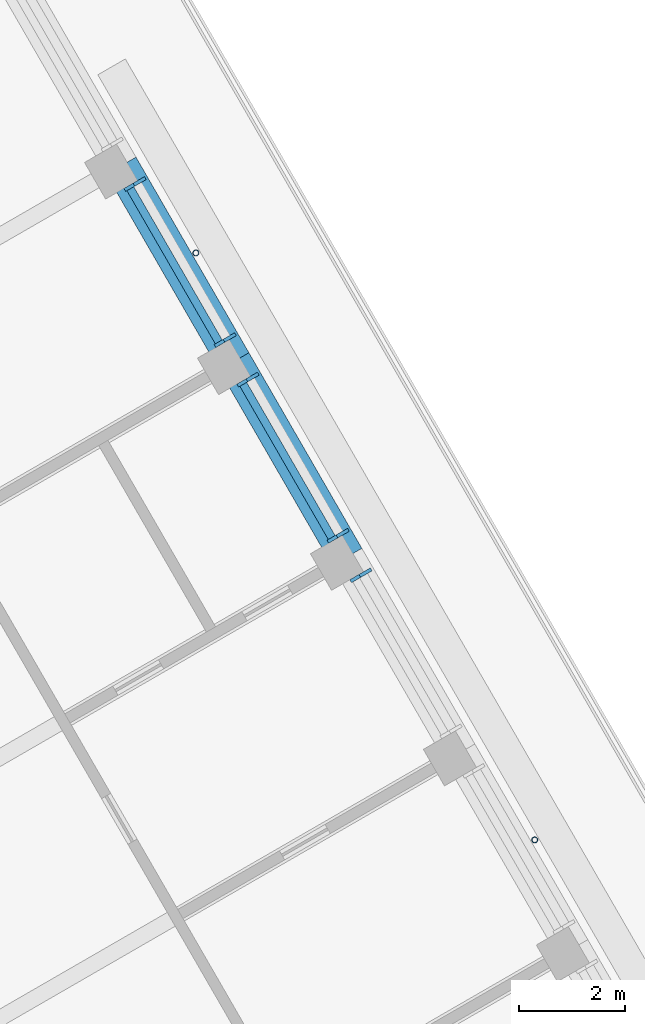
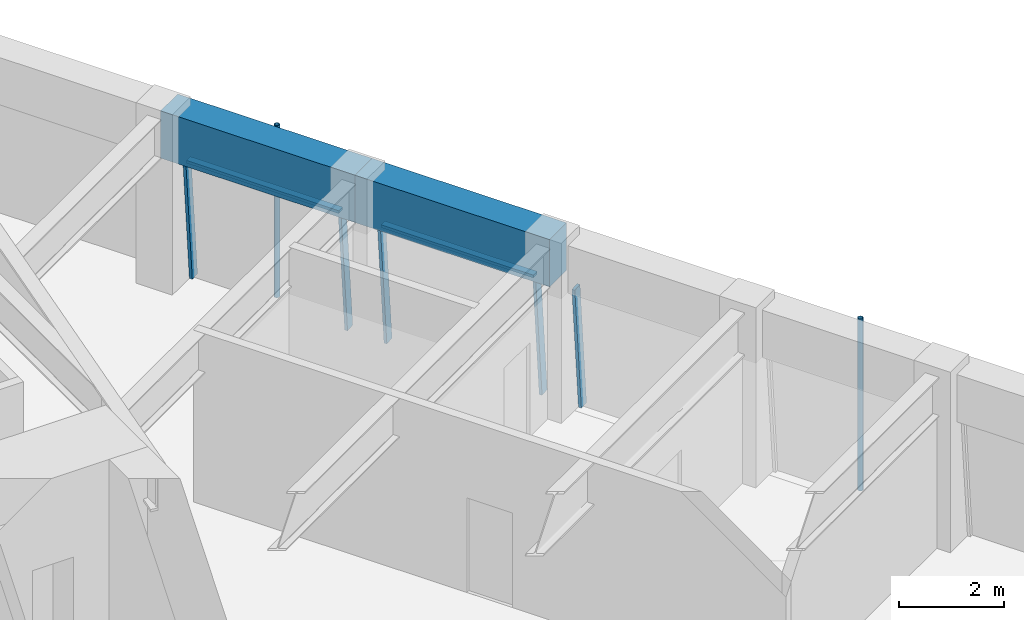
# One storey, part 10 of 19: 9 members, 2 beams, 3 elements without a shape of their own.
"""IFC4 building model written with IfcOpenShell, lengths in metres."""

from ifc_helpers import new_model, si_unit, direction, frame, origin, origin_2d, place, context, subcontext, project, spatial, rectangle, hollow_circle, extrude, material, material_profile, profile_set, type_object, element, aggregate, save


model = new_model("IFC4")

# Units and contexts
model_context = context("Model", 3, precision=1e-05, world=origin(), true_north=direction((0.0, 1.0)))
body_context = subcontext(model_context, "Body", "Model", "MODEL_VIEW")
ifc_project = project(units=[si_unit("LENGTHUNIT", "METRE"), si_unit("AREAUNIT", "SQUARE_METRE"), si_unit("VOLUMEUNIT", "CUBIC_METRE"), si_unit("PLANEANGLEUNIT", "RADIAN"), si_unit("MASSUNIT", "GRAM", prefix="KILO")], contexts=[model_context])

# Site, building, storey
site_placement = place(None, origin())
site = spatial("IfcSite", under=ifc_project, at=site_placement, CompositionType="ELEMENT")
building_placement = place(site_placement, origin())
building = spatial("IfcBuilding", under=site, at=building_placement, Name="Tarfa Lantern Tower", CompositionType="ELEMENT")
storey_placement = place(building_placement, frame((0.0, 0.0, 374.5)))
storey = spatial("IfcBuildingStorey", under=building, at=storey_placement, Name="L85", CompositionType="ELEMENT", Elevation=374.5)

# Curtain wall, member
ifc_material_1 = material(Name="Aluminium framed curtain wall", Category="aluminium")
curtain_wall_type = type_object("IfcCurtainWallType", Name="CW4 CANTED GLAZING EXECUTIVE ZONE 2900", PredefinedType="USERDEFINED", material=ifc_material_1)
curtain_wall_1_placement = place(storey_placement, origin())
curtain_wall_1 = element("IfcCurtainWall", 1, at=curtain_wall_1_placement, inside=storey, type_object=curtain_wall_type, Name="CW4 NE L85", ObjectType="CURTAIN WALL", PredefinedType="USERDEFINED")
ifc_material_2 = material(Name="Aluminium mullion", Category="aluminium")
ifc_material_profile_1 = material_profile(ifc_material_2, rectangle(XDim=0.06494140625, YDim=0.199951171875, at=origin_2d()), Name="AL MULLION 65x200")
ifc_profile_set_1 = profile_set([ifc_material_profile_1], Name="Aluminium mullion")
member_type_1 = type_object("IfcMemberType", Name="CWM1 MULLION 65x200", PredefinedType="MULLION", material=ifc_profile_set_1)
member_1_placement = place(storey_placement, frame((23.2958984375, 12.950439453125, 0.0), z_axis=(-0.074399820079, -0.042945555672, 0.996303340364), x_axis=(0.499919672301, -0.866071776036, 0.0)))
member_1 = element("IfcMember", 2, at=member_1_placement, type_object=member_type_1, Name="CW4 mullion 2", PredefinedType="MULLION", context=body_context, shape_type="SweptSolid", body=[
    extrude(rectangle(XDim=0.06494140625, YDim=0.199951171875, at=origin_2d()), origin(), (0.0, 0.0, 1.0), 2.91064453125),
])
aggregate(curtain_wall_1, [member_1])

# Curtain wall, members
curtain_wall_2_placement = place(storey_placement, origin())
curtain_wall_2 = element("IfcCurtainWall", 3, at=curtain_wall_2_placement, inside=storey, type_object=curtain_wall_type, Name="CW4 NE L85", ObjectType="CURTAIN WALL", PredefinedType="USERDEFINED")
member_2_placement = place(storey_placement, frame((22.86328125, 13.699462890625, 0.0), z_axis=(-0.074399820079, -0.042945555672, 0.996303340364), x_axis=(0.499919672301, -0.866071776036, 0.0)))
member_2 = element("IfcMember", 4, at=member_2_placement, type_object=member_type_1, Name="CW4 mullion 1", PredefinedType="MULLION", context=body_context, shape_type="SweptSolid", body=[
    extrude(rectangle(XDim=0.06494140625, YDim=0.199951171875, at=origin_2d()), origin(), (0.0, 0.0, 1.0), 2.91064453125),
])
member_3_placement = place(storey_placement, frame((21.15478515625, 16.65869140625, 0.0), z_axis=(-0.074399820079, -0.042945555672, 0.996303340364), x_axis=(0.499919672301, -0.866071776036, 0.0)))
member_3 = element("IfcMember", 5, at=member_3_placement, type_object=member_type_1, Name="CW4 mullion 2", PredefinedType="MULLION", context=body_context, shape_type="SweptSolid", body=[
    extrude(rectangle(XDim=0.06494140625, YDim=0.199951171875, at=origin_2d()), origin(), (0.0, 0.0, 1.0), 2.91064453125),
])

curtain_wall_3_placement = place(storey_placement, origin())
curtain_wall_3 = element("IfcCurtainWall", 6, at=curtain_wall_3_placement, inside=storey, type_object=curtain_wall_type, Name="CW4 NE L85", ObjectType="CURTAIN WALL", PredefinedType="USERDEFINED")
member_4_placement = place(storey_placement, frame((20.722412109375, 17.407958984375, 0.0), z_axis=(-0.074399820079, -0.042945555672, 0.996303340364), x_axis=(0.499919672301, -0.866071776036, 0.0)))
member_4 = element("IfcMember", 7, at=member_4_placement, type_object=member_type_1, Name="CW4 mullion 1", PredefinedType="MULLION", context=body_context, shape_type="SweptSolid", body=[
    extrude(rectangle(XDim=0.06494140625, YDim=0.199951171875, at=origin_2d()), origin(), (0.0, 0.0, 1.0), 2.91064453125),
])
member_5_placement = place(storey_placement, frame((19.013916015625, 20.3671875, 0.0), z_axis=(-0.074399820079, -0.042945555672, 0.996303340364), x_axis=(0.499919672301, -0.866071776036, 0.0)))
member_5 = element("IfcMember", 8, at=member_5_placement, type_object=member_type_1, Name="CW4 mullion 2", PredefinedType="MULLION", context=body_context, shape_type="SweptSolid", body=[
    extrude(rectangle(XDim=0.06494140625, YDim=0.199951171875, at=origin_2d()), origin(), (0.0, 0.0, 1.0), 2.91064453125),
])

# Member
ifc_material_3 = material(Name="Aluminium transom", Category="aluminium")
ifc_material_profile_2 = material_profile(ifc_material_3, rectangle(XDim=0.14990234375, YDim=0.06494140625, at=origin_2d()), Name="AL TRANSOM 150x65")
ifc_profile_set_2 = profile_set([ifc_material_profile_2], Name="Aluminium transom")
member_type_2 = type_object("IfcMemberType", Name="CWT1 TRANSOM 150x65", PredefinedType="USERDEFINED", material=ifc_profile_set_2)
member_6_placement = place(storey_placement, frame((22.633056640625, 13.60400390625, 2.867431640625), z_axis=(-0.499985139611, 0.866033983264, 0.0), x_axis=(-0.866033983264, -0.499985139611, 0.0)))
member_6 = element("IfcMember", 9, at=member_6_placement, type_object=member_type_2, Name="CW4 transom 1.2", ObjectType="TRANSOM", PredefinedType="USERDEFINED", context=body_context, shape_type="SweptSolid", body=[
    extrude(rectangle(XDim=0.14990234375, YDim=0.06494140625, at=origin_2d()), origin(), (0.0, 0.0, 1.0), 3.35205078125),
])

aggregate(curtain_wall_2, [member_2, member_3, member_6])

member_7_placement = place(storey_placement, frame((20.491943359375, 17.3125, 2.867431640625), z_axis=(-0.500016677412, 0.866015774862, 0.0), x_axis=(-0.866015774862, -0.500016677412, 0.0)))
member_7 = element("IfcMember", 10, at=member_7_placement, type_object=member_type_2, Name="CW4 transom 1.2", ObjectType="TRANSOM", PredefinedType="USERDEFINED", context=body_context, shape_type="SweptSolid", body=[
    extrude(rectangle(XDim=0.14990234375, YDim=0.06494140625, at=origin_2d()), origin(), (0.0, 0.0, 1.0), 3.35205078125),
])

aggregate(curtain_wall_3, [member_4, member_5, member_7])

# Beams
ifc_material_4 = material(Name="Concrete C80/95", Category="concrete")
ifc_material_profile_3 = material_profile(ifc_material_4, rectangle(XDim=0.64990234375, YDim=1.10009765625, at=origin_2d()), Name="RC 650x1100")
ifc_profile_set_3 = profile_set([ifc_material_profile_3], Name="Concrete C80/95")
beam_type = type_object("IfcBeamType", Name="EB4 RC 650x1100", PredefinedType="SPANDREL", material=ifc_profile_set_3)
for number, where, z_axis, x_axis, name in (
    (11, (22.923583984375, 13.235107421875, 3.449951171875), (-0.499984039138, 0.866034618596, 0.0), (-0.866034618596, -0.499984039138, 0.0), "Edge beam NE3"),
    (12, (20.78271484375, 16.943359375, 3.449951171875), (-0.500026801138, 0.866009929587, 0.0), (-0.866009929587, -0.500026801138, 0.0), "Edge beam NE4"),
):
    element("IfcBeam", number, at=place(storey_placement, frame(where, z_axis=z_axis, x_axis=x_axis)), inside=storey, type_object=beam_type, Name=name, PredefinedType="SPANDREL", context=body_context, shape_type="SweptSolid", body=[
        extrude(rectangle(XDim=0.64990234375, YDim=1.10009765625, at=origin_2d()), origin(), (0.0, 0.0, 1.0), 4.281982421875),
    ])

# Members
ifc_material_5 = material(Name="Steel S355", Category="steel")
ifc_material_profile_4 = material_profile(ifc_material_5, hollow_circle(Radius=0.05712890625, WallThickness=0.00634765625, at=origin_2d()), Name="CHS114.3x6.3")
ifc_profile_set_4 = profile_set([ifc_material_profile_4], Name="Steel S355")
member_type_3 = type_object("IfcMemberType", Name="TR1 GREEN WALL TRELLIS CHS114.3x6.3", PredefinedType="USERDEFINED", material=ifc_profile_set_4)
for number, where, z_axis, x_axis, name in (
    (13, (26.481689453125, 7.87255859375, 0.0), (0.0, 0.0, 1.0), (1.0, 0.0, 0.0), "Trellis post NE 1"),
    (14, (20.05859375, 18.99755859375, 0.0), (0.0, 0.0, 1.0), (1.0, 0.0, 0.0), "Trellis post NE 2"),
):
    element("IfcMember", number, at=place(storey_placement, frame(where, z_axis=z_axis, x_axis=x_axis)), inside=storey, type_object=member_type_3, Name=name, ObjectType="TRELLIS", PredefinedType="USERDEFINED", context=body_context, shape_type="SweptSolid", body=[
        extrude(hollow_circle(Radius=0.05712890625, WallThickness=0.00634765625, at=origin_2d()), origin(), (0.0, 0.0, 1.0), 4.0),
    ])

save(model, "model.ifc")
